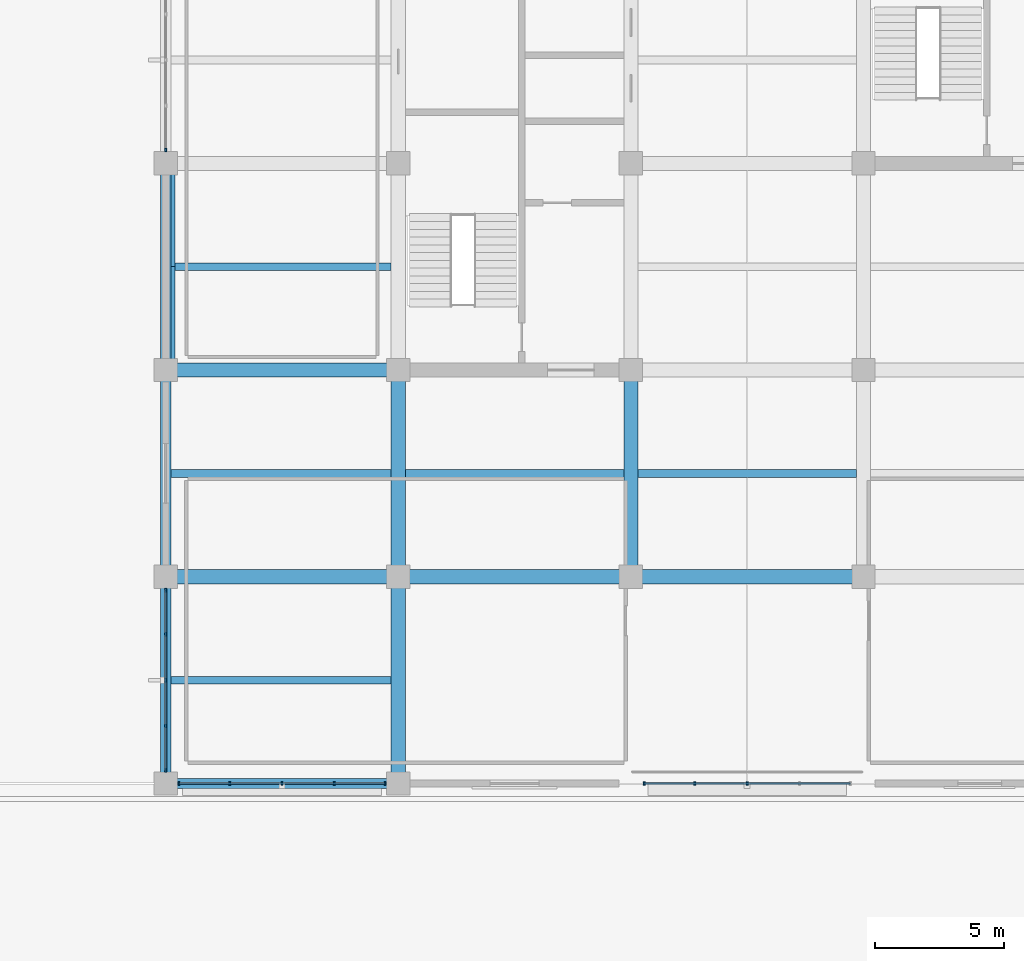
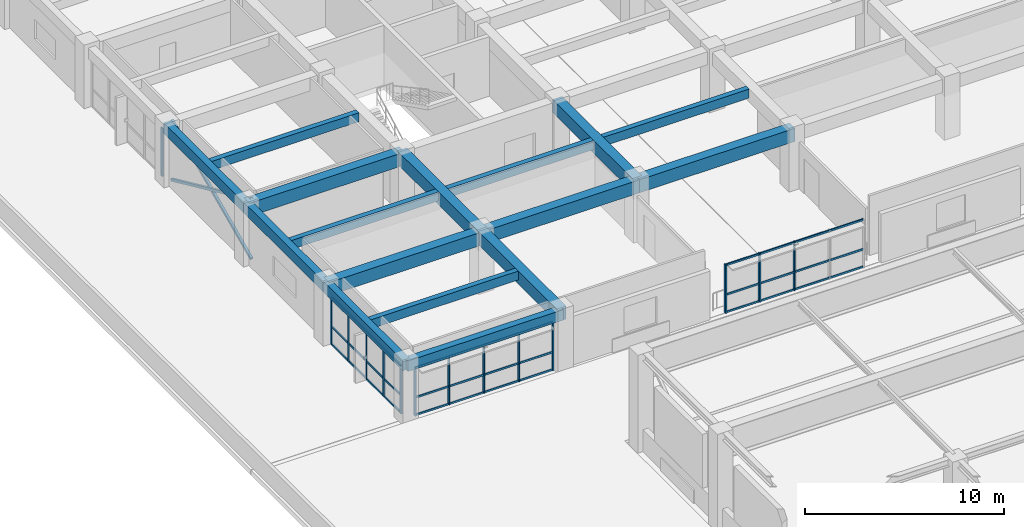
# One storey, part 5 of 34: 25 members, 16 beams, 4 elements without a shape of their own.
"""IFC4 building model written with IfcOpenShell, lengths in metres."""

import ifcopenshell
import ifcopenshell.guid

model = None  # the IFC model being written
_history = None  # IfcOwnerHistory: only IFC2X3 demands one
_inside = {}  # id of a spatial element -> (the spatial element, [elements in it])
_under = {}  # id of a project, library or spatial element -> (it, [spatial elements below it])
_declared = {}  # id of a project -> (the project, [libraries it declares])
_typed = {}  # id of a type object -> (the type object, [elements of that type])
_made_of = {}  # id of a material, layer set ... -> (it, [elements and type objects made of it])


def new_model(schema):
    """Start an empty IFC model of exactly this schema.

    Asked for "IFC4X3", IfcOpenShell would pick the latest addendum, in which some entities
    have other attributes; the version numbers below select the first issue.
    IFC2X3 requires an IfcOwnerHistory on every rooted entity: one is made here for all.
    """
    global model, _history
    if schema == "IFC4X3":
        model = ifcopenshell.file(schema_version=(4, 3, 0, 0))
    else:
        model = ifcopenshell.file(schema=schema)
    _inside.clear()
    _under.clear()
    _declared.clear()
    _typed.clear()
    _made_of.clear()
    _history = None
    if model.schema == "IFC2X3":
        org = make("IfcOrganization", Name="unknown")
        user = make(
            "IfcPersonAndOrganization",
            ThePerson=make("IfcPerson", FamilyName="unknown"),
            TheOrganization=org,
        )
        app = make(
            "IfcApplication",
            ApplicationDeveloper=org,
            Version="unknown",
            ApplicationFullName="unknown",
            ApplicationIdentifier="unknown",
        )
        _history = make(
            "IfcOwnerHistory",
            OwningUser=user,
            OwningApplication=app,
            ChangeAction="ADDED",
            CreationDate=0,
        )
    return model


def make(cls, **values):
    """One entity of the class cls with the attributes given. An attribute that is None is left unset."""
    return model.create_entity(
        cls, **{name: value for name, value in values.items() if value is not None}
    )


def rooted(cls, **values):
    """An entity with a GlobalId (a new one), such as an element, a storey or a relation."""
    return make(cls, GlobalId=ifcopenshell.guid.new(), OwnerHistory=_history, **values)


def si_unit(unit_type, name, prefix=None):
    """IfcSIUnit, for example si_unit("LENGTHUNIT", "METRE", prefix="MILLI")."""
    return make("IfcSIUnit", UnitType=unit_type, Prefix=prefix, Name=name)


def assignment(units):
    """IfcUnitAssignment: the units of a project."""
    return None if units is None else make("IfcUnitAssignment", Units=units)


def point(xyz):
    """IfcCartesianPoint."""
    return None if xyz is None else make("IfcCartesianPoint", Coordinates=xyz)


def direction(xyz):
    """IfcDirection."""
    return None if xyz is None else make("IfcDirection", DirectionRatios=xyz)


def frame(location, z_axis=None, x_axis=None):
    """IfcAxis2Placement3D, a coordinate frame: its origin and axes. An axis left out is left unset."""
    return make(
        "IfcAxis2Placement3D",
        Location=point(location),
        Axis=direction(z_axis),
        RefDirection=direction(x_axis),
    )


def frame_2d(location, x_axis=None):
    """IfcAxis2Placement2D, a coordinate frame in the plane: its origin and x axis."""
    return make(
        "IfcAxis2Placement2D", Location=point(location), RefDirection=direction(x_axis)
    )


def origin():
    """The frame at (0, 0, 0) with its axes left unset."""
    return frame((0.0, 0.0, 0.0))


def origin_2d():
    """The frame at (0, 0) in the plane with its x axis left unset."""
    return frame_2d((0.0, 0.0))


def place(relative_to, where):
    """IfcLocalPlacement: puts the frame where relative to a parent placement (None: the world)."""
    return make(
        "IfcLocalPlacement", PlacementRelTo=relative_to, RelativePlacement=where
    )


def context(
    kind, dimensions, precision=None, world=None, true_north=None, identifier=None
):
    """IfcGeometricRepresentationContext, for example the 3D "Model" context."""
    return make(
        "IfcGeometricRepresentationContext",
        ContextIdentifier=identifier,
        ContextType=kind,
        CoordinateSpaceDimension=dimensions,
        Precision=precision,
        WorldCoordinateSystem=world,
        TrueNorth=true_north,
    )


def subcontext(parent, identifier, kind, view, scale=None):
    """IfcGeometricRepresentationSubContext, for example "Body" below "Model"."""
    return make(
        "IfcGeometricRepresentationSubContext",
        ContextIdentifier=identifier,
        ContextType=kind,
        ParentContext=parent,
        TargetScale=scale,
        TargetView=view,
    )


def project(units=None, contexts=None):
    """IfcProject with its units and contexts."""
    return rooted(
        "IfcProject",
        Name="project",
        RepresentationContexts=contexts,
        UnitsInContext=assignment(units),
    )


def spatial(cls, under=None, at=None, **own):
    """A site, building, storey or space (cls), placed at a placement, below another one or the project."""
    s = rooted(cls, ObjectPlacement=at, **own)
    if under is not None:
        _under.setdefault(under.id(), (under, []))[1].append(s)
    return s


def profile(cls, at=None, kind="AREA", **sizes):
    """A parametric profile (cls). Its sizes go by their IFC names, for example OverallWidth=200.0."""
    return make(cls, ProfileType=kind, Position=at, **sizes)


def rectangle(**sizes):
    """IfcRectangleProfileDef."""
    return profile("IfcRectangleProfileDef", **sizes)


def hollow_rectangle(**sizes):
    """IfcRectangleHollowProfileDef."""
    return profile("IfcRectangleHollowProfileDef", **sizes)


def extrude(swept, where, along, depth):
    """IfcExtrudedAreaSolid: the profile swept, set in the frame where, extruded along a direction by depth."""
    return make(
        "IfcExtrudedAreaSolid",
        SweptArea=swept,
        Position=where,
        ExtrudedDirection=direction(along),
        Depth=depth,
    )


def shape(context_of_items, identifier, shape_type, items):
    """IfcShapeRepresentation: the items that make up one representation, for example the "Body"."""
    return make(
        "IfcShapeRepresentation",
        ContextOfItems=context_of_items,
        RepresentationIdentifier=identifier,
        RepresentationType=shape_type,
        Items=items,
    )


def material(Name=None, Category=None):
    """IfcMaterial."""
    return make("IfcMaterial", Name=Name, Category=Category)


def material_profile(
    of_material, cross_section, Name=None, Category=None, Priority=None
):
    """IfcMaterialProfile: a cross section and its material."""
    return make(
        "IfcMaterialProfile",
        Name=Name,
        Material=of_material,
        Profile=cross_section,
        Priority=Priority,
        Category=Category,
    )


def profile_set(profiles, Name=None, composite=None):
    """IfcMaterialProfileSet."""
    return make(
        "IfcMaterialProfileSet",
        Name=Name,
        MaterialProfiles=profiles,
        CompositeProfile=composite,
    )


def made_of(thing, what):
    """Note that an element or type object is made of a material, layer set ...; save() writes the relation."""
    if what is not None:
        _made_of.setdefault(what.id(), (what, []))[1].append(thing)
    return thing


def type_object(cls, material=None, **own):
    """A type object (cls), such as IfcWallType, which elements share."""
    return made_of(rooted(cls, **own), material)


def element(
    cls,
    number,
    at=None,
    inside=None,
    cuts=None,
    type_object=None,
    material=None,
    context=None,
    identifier="Body",
    shape_type=None,
    held_by="IfcProductDefinitionShape",
    body=None,
    shapes=None,
    **own,
):
    """One element of the class cls, such as IfcWall. Its Tag is "e" and its number.

    at: its placement. inside: the storey or other place that contains it. cuts: it is an
    opening in that element (IfcRelVoidsElement). A single representation is given by context,
    identifier, shape_type and body (its items); several are given by shapes. held_by: the class
    of the entity that holds the representations. save() writes the other relations.
    """
    e = rooted(cls, Tag="e%d" % number, ObjectPlacement=at, **own)
    if body is not None:
        shapes = [shape(context, identifier, shape_type, body)]
    if shapes is not None:
        e.Representation = make(held_by, Representations=shapes)
    if inside is not None:
        _inside.setdefault(inside.id(), (inside, []))[1].append(e)
    if cuts is not None:
        rooted(
            "IfcRelVoidsElement", RelatingBuildingElement=cuts, RelatedOpeningElement=e
        )
    if type_object is not None:
        _typed.setdefault(type_object.id(), (type_object, []))[1].append(e)
    return made_of(e, material)


def aggregate(whole, parts):
    """IfcRelAggregates: a whole, such as a stair, and the parts it consists of."""
    return rooted("IfcRelAggregates", RelatingObject=whole, RelatedObjects=parts)


def save(model, path):
    """Write the relations noted so far, then the file.

    IfcRelAggregates (storeys below a building ...), IfcRelContainedInSpatialStructure (elements
    in a storey), IfcRelDefinesByType, IfcRelAssociatesMaterial and IfcRelDeclares: one each for
    every whole, place, type object, material and project.
    """
    for whole, parts in _under.values():
        aggregate(whole, parts)
    for where, things in _inside.values():
        rooted(
            "IfcRelContainedInSpatialStructure",
            RelatedElements=things,
            RelatingStructure=where,
        )
    for kind, things in _typed.values():
        rooted("IfcRelDefinesByType", RelatedObjects=things, RelatingType=kind)
    for what, things in _made_of.values():
        rooted("IfcRelAssociatesMaterial", RelatedObjects=things, RelatingMaterial=what)
    for by, libraries in _declared.values():
        rooted("IfcRelDeclares", RelatingContext=by, RelatedDefinitions=libraries)
    model.write(path)


model = new_model("IFC4")

# Units and contexts
model_context = context("Model", 3, precision=1e-05, world=origin(), true_north=direction((0.0, 1.0)))
body_context = subcontext(model_context, "Body", "Model", "MODEL_VIEW")
ifc_project = project(units=[si_unit("LENGTHUNIT", "METRE"), si_unit("AREAUNIT", "SQUARE_METRE"), si_unit("VOLUMEUNIT", "CUBIC_METRE"), si_unit("PLANEANGLEUNIT", "RADIAN"), si_unit("MASSUNIT", "GRAM", prefix="KILO")], contexts=[model_context])

# Site, building, storey
site_placement = place(None, origin())
site = spatial("IfcSite", under=ifc_project, at=site_placement, CompositionType="ELEMENT")
building_placement = place(site_placement, origin())
building = spatial("IfcBuilding", under=site, at=building_placement, Name="Zaverband Oceanarium and Marine Research Institute", CompositionType="ELEMENT")
storey_placement = place(building_placement, frame((0.0, 0.0, 18.0)))
storey = spatial("IfcBuildingStorey", under=building, at=storey_placement, Name="L04", CompositionType="ELEMENT", Elevation=18.0)

# Beams
ifc_material_1 = material(Name="Concrete C40/50", Category="concrete")
ifc_material_profile_1 = material_profile(ifc_material_1, rectangle(XDim=0.550048828125, YDim=0.800048828125, at=origin_2d()), Name="RC550x800")
ifc_profile_set_1 = profile_set([ifc_material_profile_1], Name="Concrete C40/50")
beam_type_1 = type_object("IfcBeamType", Name="BM-550x800", PredefinedType="BEAM", material=ifc_profile_set_1)
for number, where, z_axis, x_axis, name in (
    (1, (9.0, 72.0, 3.25), (1.0, 0.0, 0.0), (0.0, 1.0, 0.0), "Primary floor girder BM-550x800"),
    (2, (18.0, 72.0, 3.25), (1.0, 0.0, 0.0), (0.0, 1.0, 0.0), "Primary floor girder BM-550x800"),
    (3, (27.0, 72.0, 3.25), (1.0, 0.0, 0.0), (0.0, 1.0, 0.0), "Primary floor girder BM-550x800"),
    (4, (9.0, 80.0, 3.25), (1.0, 0.0, 0.0), (0.0, 1.0, 0.0), "Primary floor girder BM-550x800"),
):
    element("IfcBeam", number, at=place(storey_placement, frame(where, z_axis=z_axis, x_axis=x_axis)), inside=storey, type_object=beam_type_1, Name=name, PredefinedType="BEAM", context=body_context, shape_type="SweptSolid", body=[
        extrude(rectangle(XDim=0.550048828125, YDim=0.800048828125, at=origin_2d()), origin(), (0.0, 0.0, 1.0), 9.0),
    ])
for number, where, z_axis, x_axis, name in (
    (5, (18.0, 64.0, 3.25), (0.0, 1.0, 0.0), (-1.0, 0.0, 0.0), "Primary floor girder BM-550x800"),
    (6, (18.0, 72.0, 3.25), (0.0, 1.0, 0.0), (-1.0, 0.0, 0.0), "Primary floor girder BM-550x800"),
    (7, (27.0, 72.0, 3.25), (0.0, 1.0, 0.0), (-1.0, 0.0, 0.0), "Primary floor girder BM-550x800"),
):
    element("IfcBeam", number, at=place(storey_placement, frame(where, z_axis=z_axis, x_axis=x_axis)), inside=storey, type_object=beam_type_1, Name=name, PredefinedType="BEAM", context=body_context, shape_type="SweptSolid", body=[
        extrude(rectangle(XDim=0.550048828125, YDim=0.800048828125, at=origin_2d()), origin(), (0.0, 0.0, 1.0), 8.0),
    ])

# Members
ifc_material_2 = material(Name="Steel S355", Category="steel")
ifc_material_profile_2 = material_profile(ifc_material_2, hollow_rectangle(XDim=0.14990234375, YDim=0.14990234375, WallThickness=0.008056640625, at=origin_2d()), Name="SHS150x150x8")
ifc_profile_set_2 = profile_set([ifc_material_profile_2], Name="Steel S355")
member_type_1 = type_object("IfcMemberType", Name="BR-04", PredefinedType="BRACE", material=ifc_profile_set_2)
for number, where, z_axis, x_axis, name in (
    (8, (9.280029296875, 80.0, 0.0), (0.0, 0.909785572369, 0.415078561612), (-1.0, 0.0, 0.0), "Diagonal lateral brace BR-04"),
    (9, (9.280029296875, 88.0, 0.0), (0.0, -0.909785572369, 0.415078561612), (1.0, 0.0, 0.0), "Diagonal lateral brace BR-04"),
):
    element("IfcMember", number, at=place(storey_placement, frame(where, z_axis=z_axis, x_axis=x_axis)), inside=storey, type_object=member_type_1, Name=name, PredefinedType="BRACE", context=body_context, shape_type="SweptSolid", body=[
        extrude(hollow_rectangle(XDim=0.14990234375, YDim=0.14990234375, WallThickness=0.008056640625, at=origin_2d()), origin(), (0.0, 0.0, 1.0), 8.793212890625),
    ])

# Beams
ifc_material_profile_3 = material_profile(ifc_material_1, rectangle(XDim=0.300048828125, YDim=0.550048828125, at=origin_2d()), Name="RC300x550")
ifc_profile_set_3 = profile_set([ifc_material_profile_3], Name="Concrete C40/50")
beam_type_2 = type_object("IfcBeamType", Name="JST-300x550", PredefinedType="JOIST", material=ifc_profile_set_3)
for number, where, z_axis, x_axis, name in (
    (10, (9.199951171875, 68.0, 3.375), (1.0, 0.0, 0.0), (0.0, 1.0, 0.0), "Secondary floor joist JST-300x550"),
    (11, (9.199951171875, 76.0, 3.375), (1.0, 0.0, 0.0), (0.0, 1.0, 0.0), "Secondary floor joist JST-300x550"),
    (12, (9.199951171875, 84.0, 3.375), (1.0, 0.0, 0.0), (0.0, 1.0, 0.0), "Secondary floor joist JST-300x550"),
):
    element("IfcBeam", number, at=place(storey_placement, frame(where, z_axis=z_axis, x_axis=x_axis)), inside=storey, type_object=beam_type_2, Name=name, PredefinedType="JOIST", context=body_context, shape_type="SweptSolid", body=[
        extrude(rectangle(XDim=0.300048828125, YDim=0.550048828125, at=origin_2d()), origin(), (0.0, 0.0, 1.0), 8.525146484375),
    ])
for number, where, z_axis, x_axis, name in (
    (13, (18.27490234375, 76.0, 3.375), (1.0, 0.0, 0.0), (0.0, 1.0, 0.0), "Secondary floor joist JST-300x550"),
    (14, (27.27490234375, 76.0, 3.375), (1.0, 0.0, 0.0), (0.0, 1.0, 0.0), "Secondary floor joist JST-300x550"),
):
    element("IfcBeam", number, at=place(storey_placement, frame(where, z_axis=z_axis, x_axis=x_axis)), inside=storey, type_object=beam_type_2, Name=name, PredefinedType="JOIST", context=body_context, shape_type="SweptSolid", body=[
        extrude(rectangle(XDim=0.300048828125, YDim=0.550048828125, at=origin_2d()), origin(), (0.0, 0.0, 1.0), 8.4501953125),
    ])

# Curtain wall, members
ifc_material_3 = material(Name="Thermally broken anodized aluminium and solar-control glass", Category="aluminium")
curtain_wall_type = type_object("IfcCurtainWallType", Name="CW-UNIT-1800", PredefinedType="NOTDEFINED", material=ifc_material_3)
curtain_wall_1_placement = place(storey_placement, origin())
curtain_wall_1 = element("IfcCurtainWall", 15, at=curtain_wall_1_placement, inside=storey, type_object=curtain_wall_type, Name="Unitised glazed curtain wall CW-058", PredefinedType="NOTDEFINED")
ifc_material_4 = material(Name="Thermally broken anodized aluminium", Category="aluminium")
ifc_material_profile_4 = material_profile(ifc_material_4, rectangle(XDim=0.070068359375, YDim=0.14990234375, at=origin_2d()), Name="AL-MUL-70x150")
ifc_profile_set_4 = profile_set([ifc_material_profile_4], Name="Thermally broken anodized aluminium")
member_type_2 = type_object("IfcMemberType", Name="MUL-70x150", PredefinedType="MULLION", material=ifc_profile_set_4)
member_1_placement = place(storey_placement, frame((9.514892578125, 64.0, 0.0), z_axis=(0.0, 0.0, 1.0), x_axis=(1.0, 0.0, 0.0)))
member_1 = element("IfcMember", 16, at=member_1_placement, type_object=member_type_2, Name="Curtain wall vertical mullion MUL-70x150", PredefinedType="MULLION", context=body_context, shape_type="SweptSolid", body=[
    extrude(rectangle(XDim=0.070068359375, YDim=0.14990234375, at=origin_2d()), origin(), (0.0, 0.0, 1.0), 2.97998046875),
])
member_2_placement = place(storey_placement, frame((11.4775390625, 64.0, 0.0), z_axis=(0.0, 0.0, 1.0), x_axis=(1.0, 0.0, 0.0)))
member_2 = element("IfcMember", 17, at=member_2_placement, type_object=member_type_2, Name="Curtain wall vertical mullion MUL-70x150", PredefinedType="MULLION", context=body_context, shape_type="SweptSolid", body=[
    extrude(rectangle(XDim=0.070068359375, YDim=0.14990234375, at=origin_2d()), origin(), (0.0, 0.0, 1.0), 2.97998046875),
])
member_3_placement = place(storey_placement, frame((13.5, 64.0, 0.0), z_axis=(0.0, 0.0, 1.0), x_axis=(1.0, 0.0, 0.0)))
member_3 = element("IfcMember", 18, at=member_3_placement, type_object=member_type_2, Name="Curtain wall vertical mullion MUL-70x150", PredefinedType="MULLION", context=body_context, shape_type="SweptSolid", body=[
    extrude(rectangle(XDim=0.070068359375, YDim=0.14990234375, at=origin_2d()), origin(), (0.0, 0.0, 1.0), 2.97998046875),
])
member_4_placement = place(storey_placement, frame((15.5224609375, 64.0, 0.0), z_axis=(0.0, 0.0, 1.0), x_axis=(1.0, 0.0, 0.0)))
member_4 = element("IfcMember", 19, at=member_4_placement, type_object=member_type_2, Name="Curtain wall vertical mullion MUL-70x150", PredefinedType="MULLION", context=body_context, shape_type="SweptSolid", body=[
    extrude(rectangle(XDim=0.070068359375, YDim=0.14990234375, at=origin_2d()), origin(), (0.0, 0.0, 1.0), 2.97998046875),
])
member_5_placement = place(storey_placement, frame((17.485107421875, 64.0, 0.0), z_axis=(0.0, 0.0, 1.0), x_axis=(1.0, 0.0, 0.0)))
member_5 = element("IfcMember", 20, at=member_5_placement, type_object=member_type_2, Name="Curtain wall vertical mullion MUL-70x150", PredefinedType="MULLION", context=body_context, shape_type="SweptSolid", body=[
    extrude(rectangle(XDim=0.070068359375, YDim=0.14990234375, at=origin_2d()), origin(), (0.0, 0.0, 1.0), 2.97998046875),
])

curtain_wall_2_placement = place(storey_placement, origin())
curtain_wall_2 = element("IfcCurtainWall", 21, at=curtain_wall_2_placement, inside=storey, type_object=curtain_wall_type, Name="Unitised glazed curtain wall CW-059", PredefinedType="NOTDEFINED")
member_6_placement = place(storey_placement, frame((27.514892578125, 64.0, 0.0), z_axis=(0.0, 0.0, 1.0), x_axis=(1.0, 0.0, 0.0)))
member_6 = element("IfcMember", 22, at=member_6_placement, type_object=member_type_2, Name="Curtain wall vertical mullion MUL-70x150", PredefinedType="MULLION", context=body_context, shape_type="SweptSolid", body=[
    extrude(rectangle(XDim=0.070068359375, YDim=0.14990234375, at=origin_2d()), origin(), (0.0, 0.0, 1.0), 2.97998046875),
])
member_7_placement = place(storey_placement, frame((29.4775390625, 64.0, 0.0), z_axis=(0.0, 0.0, 1.0), x_axis=(1.0, 0.0, 0.0)))
member_7 = element("IfcMember", 23, at=member_7_placement, type_object=member_type_2, Name="Curtain wall vertical mullion MUL-70x150", PredefinedType="MULLION", context=body_context, shape_type="SweptSolid", body=[
    extrude(rectangle(XDim=0.070068359375, YDim=0.14990234375, at=origin_2d()), origin(), (0.0, 0.0, 1.0), 2.97998046875),
])
member_8_placement = place(storey_placement, frame((31.5, 64.0, 0.0), z_axis=(0.0, 0.0, 1.0), x_axis=(1.0, 0.0, 0.0)))
member_8 = element("IfcMember", 24, at=member_8_placement, type_object=member_type_2, Name="Curtain wall vertical mullion MUL-70x150", PredefinedType="MULLION", context=body_context, shape_type="SweptSolid", body=[
    extrude(rectangle(XDim=0.070068359375, YDim=0.14990234375, at=origin_2d()), origin(), (0.0, 0.0, 1.0), 2.97998046875),
])

curtain_wall_3_placement = place(storey_placement, origin())
curtain_wall_3 = element("IfcCurtainWall", 25, at=curtain_wall_3_placement, inside=storey, type_object=curtain_wall_type, Name="Unitised glazed curtain wall CW-064", PredefinedType="NOTDEFINED")
member_9_placement = place(storey_placement, frame((9.0, 64.514892578125, 0.0), z_axis=(0.0, 0.0, 1.0), x_axis=(1.0, 0.0, 0.0)))
member_9 = element("IfcMember", 26, at=member_9_placement, type_object=member_type_2, Name="Curtain wall vertical mullion MUL-70x150", PredefinedType="MULLION", context=body_context, shape_type="SweptSolid", body=[
    extrude(rectangle(XDim=0.070068359375, YDim=0.14990234375, at=origin_2d()), origin(), (0.0, 0.0, 1.0), 2.97998046875),
])
member_10_placement = place(storey_placement, frame((9.0, 66.2275390625, 0.0), z_axis=(0.0, 0.0, 1.0), x_axis=(1.0, 0.0, 0.0)))
member_10 = element("IfcMember", 27, at=member_10_placement, type_object=member_type_2, Name="Curtain wall vertical mullion MUL-70x150", PredefinedType="MULLION", context=body_context, shape_type="SweptSolid", body=[
    extrude(rectangle(XDim=0.070068359375, YDim=0.14990234375, at=origin_2d()), origin(), (0.0, 0.0, 1.0), 2.97998046875),
])
member_11_placement = place(storey_placement, frame((9.0, 68.0, 0.0), z_axis=(0.0, 0.0, 1.0), x_axis=(1.0, 0.0, 0.0)))
member_11 = element("IfcMember", 28, at=member_11_placement, type_object=member_type_2, Name="Curtain wall vertical mullion MUL-70x150", PredefinedType="MULLION", context=body_context, shape_type="SweptSolid", body=[
    extrude(rectangle(XDim=0.070068359375, YDim=0.14990234375, at=origin_2d()), origin(), (0.0, 0.0, 1.0), 2.97998046875),
])
member_12_placement = place(storey_placement, frame((9.0, 69.7724609375, 0.0), z_axis=(0.0, 0.0, 1.0), x_axis=(1.0, 0.0, 0.0)))
member_12 = element("IfcMember", 29, at=member_12_placement, type_object=member_type_2, Name="Curtain wall vertical mullion MUL-70x150", PredefinedType="MULLION", context=body_context, shape_type="SweptSolid", body=[
    extrude(rectangle(XDim=0.070068359375, YDim=0.14990234375, at=origin_2d()), origin(), (0.0, 0.0, 1.0), 2.97998046875),
])
member_13_placement = place(storey_placement, frame((9.0, 71.485107421875, 0.0), z_axis=(0.0, 0.0, 1.0), x_axis=(1.0, 0.0, 0.0)))
member_13 = element("IfcMember", 30, at=member_13_placement, type_object=member_type_2, Name="Curtain wall vertical mullion MUL-70x150", PredefinedType="MULLION", context=body_context, shape_type="SweptSolid", body=[
    extrude(rectangle(XDim=0.070068359375, YDim=0.14990234375, at=origin_2d()), origin(), (0.0, 0.0, 1.0), 2.97998046875),
])

# Curtain wall, member
curtain_wall_4_placement = place(storey_placement, origin())
curtain_wall_4 = element("IfcCurtainWall", 31, at=curtain_wall_4_placement, inside=storey, type_object=curtain_wall_type, Name="Unitised glazed curtain wall CW-065", PredefinedType="NOTDEFINED")
member_14_placement = place(storey_placement, frame((9.0, 88.514892578125, 0.0), z_axis=(0.0, 0.0, 1.0), x_axis=(1.0, 0.0, 0.0)))
member_14 = element("IfcMember", 32, at=member_14_placement, type_object=member_type_2, Name="Curtain wall vertical mullion MUL-70x150", PredefinedType="MULLION", context=body_context, shape_type="SweptSolid", body=[
    extrude(rectangle(XDim=0.070068359375, YDim=0.14990234375, at=origin_2d()), origin(), (0.0, 0.0, 1.0), 2.97998046875),
])
aggregate(curtain_wall_4, [member_14])

# Beams
ifc_material_profile_5 = material_profile(ifc_material_1, rectangle(XDim=0.39990234375, YDim=0.64990234375, at=origin_2d()), Name="RC400x650")
ifc_profile_set_5 = profile_set([ifc_material_profile_5], Name="Concrete C40/50")
beam_type_3 = type_object("IfcBeamType", Name="SPN-400x650", PredefinedType="SPANDREL", material=ifc_profile_set_5)
beam_placement = place(storey_placement, frame((9.0, 64.0, 3.324951171875), z_axis=(1.0, 0.0, 0.0), x_axis=(0.0, 1.0, 0.0)))
element("IfcBeam", 33, at=beam_placement, inside=storey, type_object=beam_type_3, Name="Perimeter spandrel beam SPN-400x650", PredefinedType="SPANDREL", context=body_context, shape_type="SweptSolid", body=[
    extrude(rectangle(XDim=0.39990234375, YDim=0.64990234375, at=origin_2d()), origin(), (0.0, 0.0, 1.0), 9.0),
])
for number, where, z_axis, x_axis, name in (
    (34, (9.0, 64.0, 3.324951171875), (0.0, 1.0, 0.0), (-1.0, 0.0, 0.0), "Perimeter spandrel beam SPN-400x650"),
    (35, (9.0, 72.0, 3.324951171875), (0.0, 1.0, 0.0), (-1.0, 0.0, 0.0), "Perimeter spandrel beam SPN-400x650"),
    (36, (9.0, 80.0, 3.324951171875), (0.0, 1.0, 0.0), (-1.0, 0.0, 0.0), "Perimeter spandrel beam SPN-400x650"),
):
    element("IfcBeam", number, at=place(storey_placement, frame(where, z_axis=z_axis, x_axis=x_axis)), inside=storey, type_object=beam_type_3, Name=name, PredefinedType="SPANDREL", context=body_context, shape_type="SweptSolid", body=[
        extrude(rectangle(XDim=0.39990234375, YDim=0.64990234375, at=origin_2d()), origin(), (0.0, 0.0, 1.0), 8.0),
    ])

# Member
ifc_material_profile_6 = material_profile(ifc_material_4, rectangle(XDim=0.070068359375, YDim=0.114990234375, at=origin_2d()), Name="AL-TRN-70x115")
ifc_profile_set_6 = profile_set([ifc_material_profile_6], Name="Thermally broken anodized aluminium")
member_type_3 = type_object("IfcMemberType", Name="TRN-70x115", PredefinedType="USERDEFINED", material=ifc_profile_set_6)
member_15_placement = place(storey_placement, frame((9.514892578125, 64.0, 0.050048828125), z_axis=(1.0, 0.0, 0.0), x_axis=(0.0, 1.0, 0.0)))
member_15 = element("IfcMember", 37, at=member_15_placement, type_object=member_type_3, Name="Curtain wall horizontal transom TRN-70x115", ObjectType="TRANSOM", PredefinedType="USERDEFINED", context=body_context, shape_type="SweptSolid", body=[
    extrude(rectangle(XDim=0.070068359375, YDim=0.114990234375, at=origin_2d()), origin(), (0.0, 0.0, 1.0), 7.97021484375),
])

member_16_placement = place(storey_placement, frame((9.514892578125, 64.0, 1.123046875), z_axis=(1.0, 0.0, 0.0), x_axis=(0.0, 1.0, 0.0)))
member_16 = element("IfcMember", 38, at=member_16_placement, type_object=member_type_3, Name="Curtain wall horizontal transom TRN-70x115", ObjectType="TRANSOM", PredefinedType="USERDEFINED", context=body_context, shape_type="SweptSolid", body=[
    extrude(rectangle(XDim=0.070068359375, YDim=0.114990234375, at=origin_2d()), origin(), (0.0, 0.0, 1.0), 7.97021484375),
])

member_17_placement = place(storey_placement, frame((9.514892578125, 64.0, 2.929931640625), z_axis=(1.0, 0.0, 0.0), x_axis=(0.0, 1.0, 0.0)))
member_17 = element("IfcMember", 39, at=member_17_placement, type_object=member_type_3, Name="Curtain wall horizontal transom TRN-70x115", ObjectType="TRANSOM", PredefinedType="USERDEFINED", context=body_context, shape_type="SweptSolid", body=[
    extrude(rectangle(XDim=0.070068359375, YDim=0.114990234375, at=origin_2d()), origin(), (0.0, 0.0, 1.0), 7.97021484375),
])

aggregate(curtain_wall_1, [member_1, member_2, member_3, member_4, member_5, member_15, member_16, member_17])

member_18_placement = place(storey_placement, frame((27.514892578125, 64.0, 0.050048828125), z_axis=(1.0, 0.0, 0.0), x_axis=(0.0, 1.0, 0.0)))
member_18 = element("IfcMember", 40, at=member_18_placement, type_object=member_type_3, Name="Curtain wall horizontal transom TRN-70x115", ObjectType="TRANSOM", PredefinedType="USERDEFINED", context=body_context, shape_type="SweptSolid", body=[
    extrude(rectangle(XDim=0.070068359375, YDim=0.114990234375, at=origin_2d()), origin(), (0.0, 0.0, 1.0), 7.97021484375),
])

member_19_placement = place(storey_placement, frame((27.514892578125, 64.0, 1.123046875), z_axis=(1.0, 0.0, 0.0), x_axis=(0.0, 1.0, 0.0)))
member_19 = element("IfcMember", 41, at=member_19_placement, type_object=member_type_3, Name="Curtain wall horizontal transom TRN-70x115", ObjectType="TRANSOM", PredefinedType="USERDEFINED", context=body_context, shape_type="SweptSolid", body=[
    extrude(rectangle(XDim=0.070068359375, YDim=0.114990234375, at=origin_2d()), origin(), (0.0, 0.0, 1.0), 7.97021484375),
])

member_20_placement = place(storey_placement, frame((27.514892578125, 64.0, 2.929931640625), z_axis=(1.0, 0.0, 0.0), x_axis=(0.0, 1.0, 0.0)))
member_20 = element("IfcMember", 42, at=member_20_placement, type_object=member_type_3, Name="Curtain wall horizontal transom TRN-70x115", ObjectType="TRANSOM", PredefinedType="USERDEFINED", context=body_context, shape_type="SweptSolid", body=[
    extrude(rectangle(XDim=0.070068359375, YDim=0.114990234375, at=origin_2d()), origin(), (0.0, 0.0, 1.0), 7.97021484375),
])

aggregate(curtain_wall_2, [member_6, member_7, member_8, member_18, member_19, member_20])

member_21_placement = place(storey_placement, frame((9.0, 64.514892578125, 0.050048828125), z_axis=(0.0, 1.0, 0.0), x_axis=(-1.0, 0.0, 0.0)))
member_21 = element("IfcMember", 43, at=member_21_placement, type_object=member_type_3, Name="Curtain wall horizontal transom TRN-70x115", ObjectType="TRANSOM", PredefinedType="USERDEFINED", context=body_context, shape_type="SweptSolid", body=[
    extrude(rectangle(XDim=0.070068359375, YDim=0.114990234375, at=origin_2d()), origin(), (0.0, 0.0, 1.0), 6.97021484375),
])

member_22_placement = place(storey_placement, frame((9.0, 64.514892578125, 1.123046875), z_axis=(0.0, 1.0, 0.0), x_axis=(-1.0, 0.0, 0.0)))
member_22 = element("IfcMember", 44, at=member_22_placement, type_object=member_type_3, Name="Curtain wall horizontal transom TRN-70x115", ObjectType="TRANSOM", PredefinedType="USERDEFINED", context=body_context, shape_type="SweptSolid", body=[
    extrude(rectangle(XDim=0.070068359375, YDim=0.114990234375, at=origin_2d()), origin(), (0.0, 0.0, 1.0), 6.97021484375),
])

member_23_placement = place(storey_placement, frame((9.0, 64.514892578125, 2.929931640625), z_axis=(0.0, 1.0, 0.0), x_axis=(-1.0, 0.0, 0.0)))
member_23 = element("IfcMember", 45, at=member_23_placement, type_object=member_type_3, Name="Curtain wall horizontal transom TRN-70x115", ObjectType="TRANSOM", PredefinedType="USERDEFINED", context=body_context, shape_type="SweptSolid", body=[
    extrude(rectangle(XDim=0.070068359375, YDim=0.114990234375, at=origin_2d()), origin(), (0.0, 0.0, 1.0), 6.97021484375),
])

aggregate(curtain_wall_3, [member_9, member_10, member_11, member_12, member_13, member_21, member_22, member_23])

save(model, "model.ifc")
